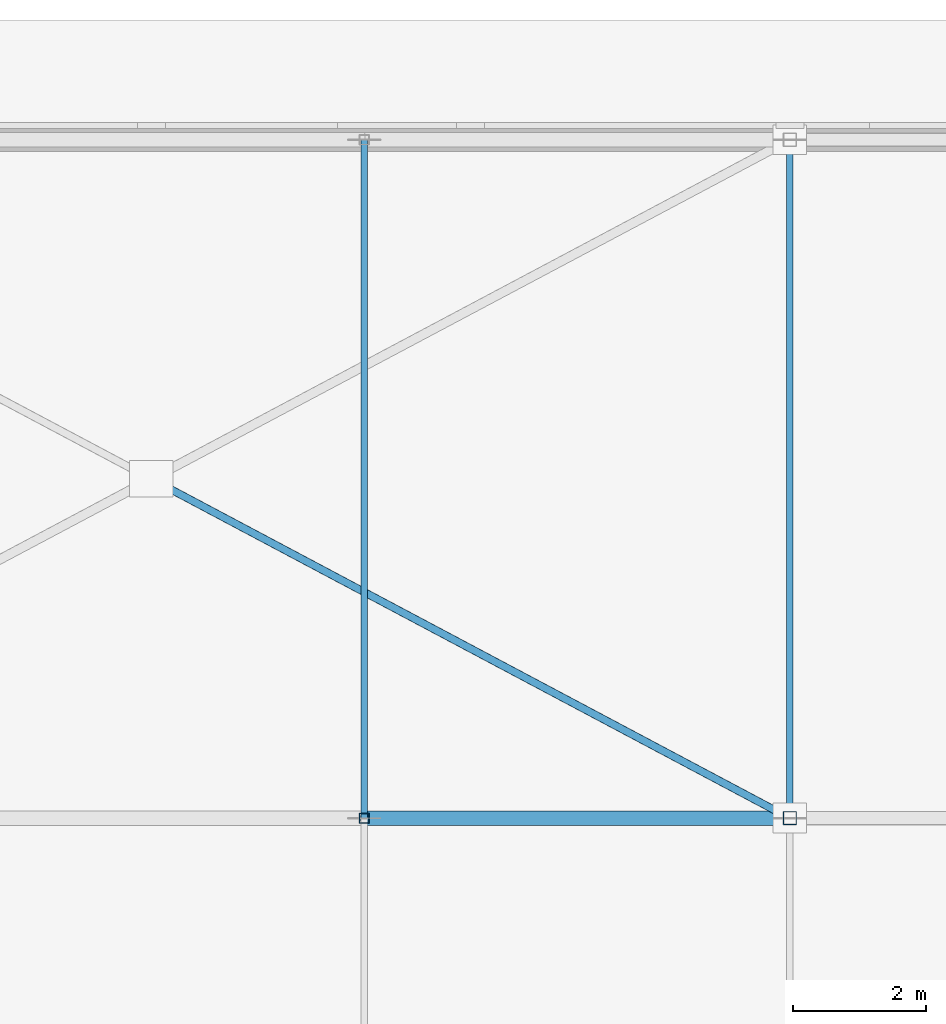
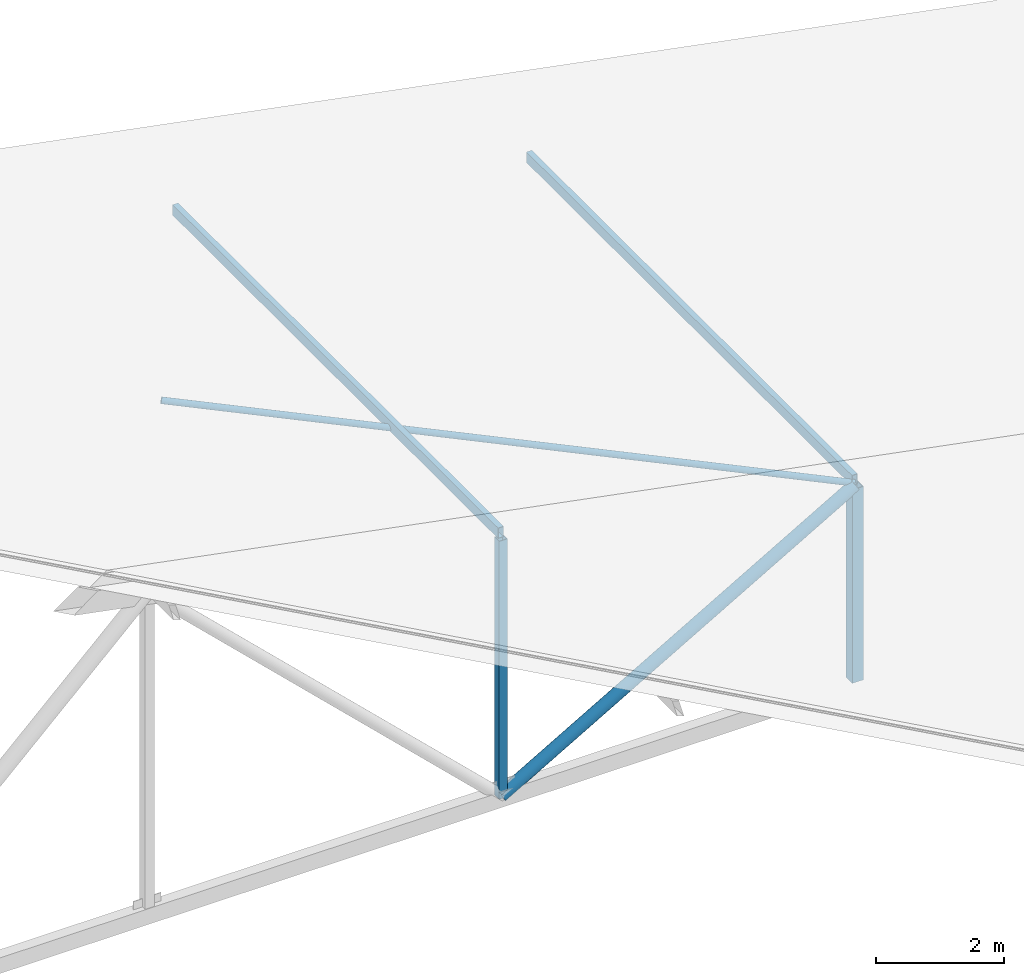
# One storey, part 72 of 200: 6 members.
"""IFC4 building model written with IfcOpenShell, lengths in metres."""

from ifc_helpers import new_model, si_unit, direction, frame, origin, origin_2d, place, context, subcontext, project, spatial, hollow_rectangle, hollow_circle, extrude, material, material_profile, profile_set, type_object, element, save


model = new_model("IFC4")

# Units and contexts
model_context = context("Model", 3, precision=1e-05, world=origin(), true_north=direction((0.0, 1.0)))
body_context = subcontext(model_context, "Body", "Model", "MODEL_VIEW")
ifc_project = project(units=[si_unit("LENGTHUNIT", "METRE"), si_unit("AREAUNIT", "SQUARE_METRE"), si_unit("VOLUMEUNIT", "CUBIC_METRE"), si_unit("PLANEANGLEUNIT", "RADIAN"), si_unit("MASSUNIT", "GRAM", prefix="KILO")], contexts=[model_context])

# Site, building, storey
site_placement = place(None, origin())
site = spatial("IfcSite", under=ifc_project, at=site_placement, CompositionType="ELEMENT")
building_placement = place(site_placement, origin())
building = spatial("IfcBuilding", under=site, at=building_placement, Name="Vondelvale Polytechnic", CompositionType="ELEMENT")
storey_placement = place(building_placement, frame((0.0, 0.0, 13.800048828125)))
storey = spatial("IfcBuildingStorey", under=building, at=storey_placement, Name="L03", CompositionType="ELEMENT", Elevation=13.800048828125)

# Members
ifc_material = material(Name="Steel C350L0 (fy = 350 MPa)", Category="steel")
ifc_material_profile_1 = material_profile(ifc_material, hollow_rectangle(XDim=0.10009765625, YDim=0.199951171875, WallThickness=0.006103515625, at=origin_2d()), Name="200x100x6.0RHS")
ifc_profile_set_1 = profile_set([ifc_material_profile_1], Name="Steel C350L0 (fy = 350 MPa)")
member_type_1 = type_object("IfcMemberType", Name="PURLIN RHS200", PredefinedType="PURLIN", material=ifc_profile_set_1)
for number, where, z_axis, x_axis, name in (
    (1, (22.39990234375, 112.199951171875, 4.614501953125), (0.0, 1.0, 0.0), (-1.0, 0.0, 0.0), "Workshop roof purlin bay 7"),
    (2, (28.800048828125, 112.199951171875, 3.38134765625), (0.0, 1.0, 0.0), (-1.0, 0.0, 0.0), "Workshop roof purlin bay 7"),
):
    element("IfcMember", number, at=place(storey_placement, frame(where, z_axis=z_axis, x_axis=x_axis)), inside=storey, type_object=member_type_1, Name=name, PredefinedType="PURLIN", context=body_context, shape_type="SweptSolid", body=[
        extrude(hollow_rectangle(XDim=0.10009765625, YDim=0.199951171875, WallThickness=0.006103515625, at=origin_2d()), origin(), (0.0, 0.0, 1.0), 10.199951171875),
    ])
ifc_material_profile_2 = material_profile(ifc_material, hollow_circle(Radius=0.05712890625, WallThickness=0.0048828125, at=origin_2d()), Name="114.3x4.8CHS")
ifc_profile_set_2 = profile_set([ifc_material_profile_2], Name="Steel C350L0 (fy = 350 MPa)")
member_type_2 = type_object("IfcMemberType", Name="ROOF BRACE 114CHS", PredefinedType="BRACE", material=ifc_profile_set_2)
member_1_placement = place(storey_placement, frame((28.800048828125, 112.199951171875, 3.320068359375), z_axis=(-0.870598866697, 0.462509799229, 0.167756665809), x_axis=(-0.469158510068, -0.883113974768, 0.0)))
element("IfcMember", 3, at=member_1_placement, inside=storey, type_object=member_type_2, Name="Workshop split roof wind brace 7B1", PredefinedType="BRACE", context=body_context, shape_type="SweptSolid", body=[
    extrude(hollow_circle(Radius=0.05712890625, WallThickness=0.0048828125, at=origin_2d()), origin(), (0.0, 0.0, 1.0), 11.027099609375),
])
ifc_material_profile_3 = material_profile(ifc_material, hollow_circle(Radius=0.109619140625, WallThickness=0.00830078125, at=origin_2d()), Name="219.1x8.2CHS")
ifc_profile_set_3 = profile_set([ifc_material_profile_3], Name="Steel C350L0 (fy = 350 MPa)")
member_type_3 = type_object("IfcMemberType", Name="ROOF TRUSS BRACE 219CHS", PredefinedType="BRACE", material=ifc_profile_set_3)
member_2_placement = place(storey_placement, frame((22.39990234375, 112.199951171875, -0.420166015625), z_axis=(0.865728347066, 0.0, 0.50051416472), x_axis=(0.0, 1.0, 0.0)))
element("IfcMember", 4, at=member_2_placement, inside=storey, type_object=member_type_3, Name="ROOF TRUSS TR-07 web diagonal 5", PredefinedType="BRACE", context=body_context, shape_type="SweptSolid", body=[
    extrude(hollow_circle(Radius=0.109619140625, WallThickness=0.00830078125, at=origin_2d()), origin(), (0.0, 0.0, 1.0), 7.392822265625),
])
ifc_material_profile_4 = material_profile(ifc_material, hollow_rectangle(XDim=0.14990234375, YDim=0.14990234375, WallThickness=0.006103515625, at=origin_2d()), Name="150x150x6.0SHS")
ifc_profile_set_4 = profile_set([ifc_material_profile_4], Name="Steel C350L0 (fy = 350 MPa)")
member_type_4 = type_object("IfcMemberType", Name="ROOF TRUSS POST 150SHS", PredefinedType="POST", material=ifc_profile_set_4)
member_3_placement = place(storey_placement, frame((22.39990234375, 112.199951171875, -0.420166015625), z_axis=(0.0, 0.0, 1.0), x_axis=(1.0, 0.0, 0.0)))
element("IfcMember", 5, at=member_3_placement, inside=storey, type_object=member_type_4, Name="ROOF TRUSS TR-07 vertical post 4", PredefinedType="POST", context=body_context, shape_type="SweptSolid", body=[
    extrude(hollow_rectangle(XDim=0.14990234375, YDim=0.14990234375, WallThickness=0.006103515625, at=origin_2d()), origin(), (0.0, 0.0, 1.0), 4.933349609375),
])
ifc_material_profile_5 = material_profile(ifc_material, hollow_rectangle(XDim=0.199951171875, YDim=0.199951171875, WallThickness=0.009033203125, at=origin_2d()), Name="200x200x9.0SHS")
ifc_profile_set_5 = profile_set([ifc_material_profile_5], Name="Steel C350L0 (fy = 350 MPa)")
member_type_5 = type_object("IfcMemberType", Name="ROOF TRUSS POST 200SHS", PredefinedType="POST", material=ifc_profile_set_5)
member_4_placement = place(storey_placement, frame((28.800048828125, 112.199951171875, -0.420166015625), z_axis=(0.0, 0.0, 1.0), x_axis=(1.0, 0.0, 0.0)))
element("IfcMember", 6, at=member_4_placement, inside=storey, type_object=member_type_5, Name="ROOF TRUSS TR-07 vertical post 5", PredefinedType="POST", context=body_context, shape_type="SweptSolid", body=[
    extrude(hollow_rectangle(XDim=0.199951171875, YDim=0.199951171875, WallThickness=0.009033203125, at=origin_2d()), origin(), (0.0, 0.0, 1.0), 3.7001953125),
])

save(model, "model.ifc")
